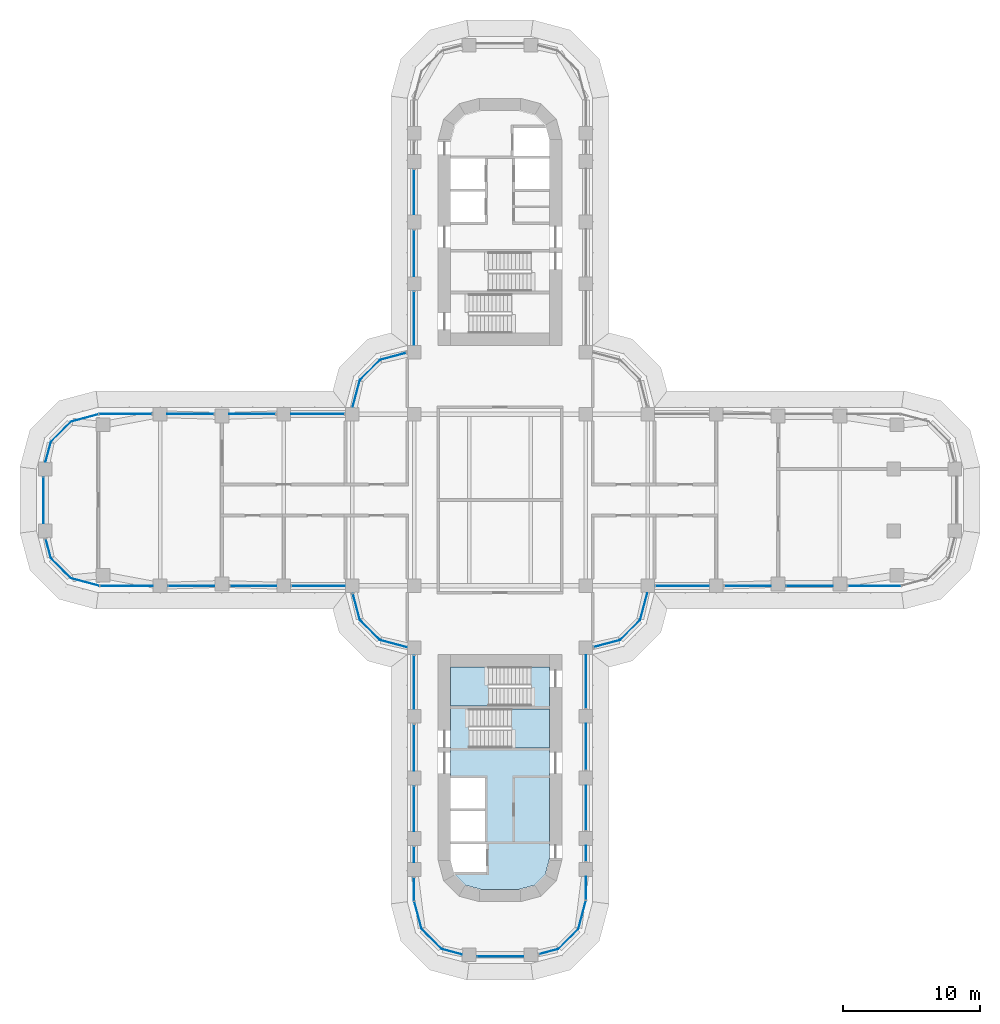
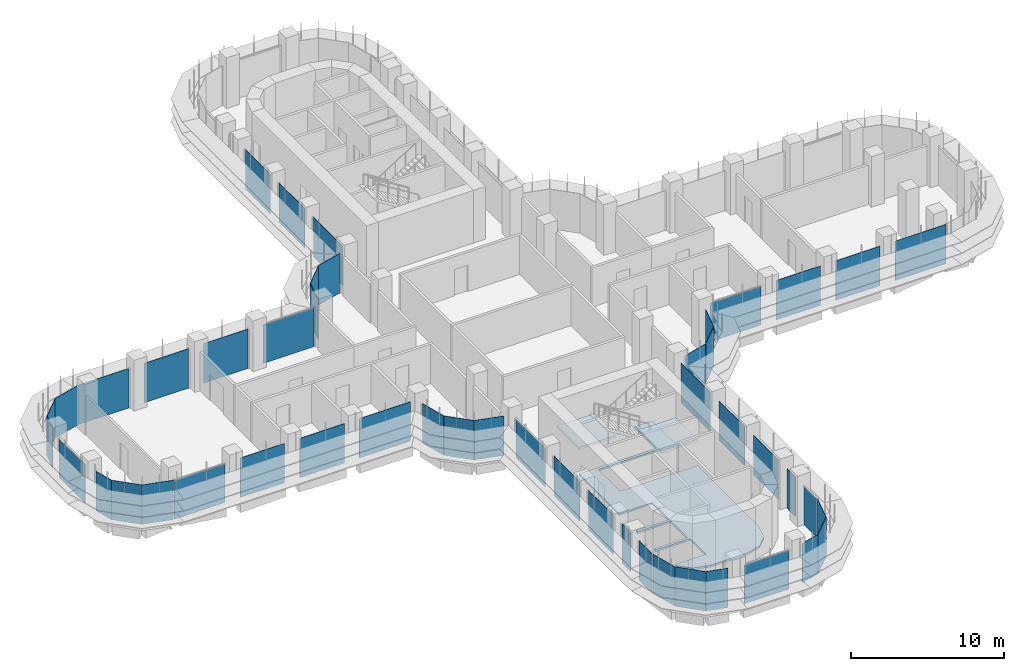
# One storey, part 13 of 23: 48 plates, 3 slabs, 31 elements without a shape of their own.
"""IFC4 building model written with IfcOpenShell, lengths in metres."""

from ifc_helpers import new_model, si_unit, direction, frame, origin, place, context, subcontext, project, spatial, polyline, outline, extrude, source, transform, mapped, material, layer, layer_set, type_object, element, aggregate, save


model = new_model("IFC4")

# Units and contexts
model_context = context("Model", 3, precision=1e-05, world=origin(), true_north=direction((0.0, 1.0)))
body_context = subcontext(model_context, "Body", "Model", "MODEL_VIEW")
ifc_project = project(units=[si_unit("LENGTHUNIT", "METRE"), si_unit("AREAUNIT", "SQUARE_METRE"), si_unit("VOLUMEUNIT", "CUBIC_METRE"), si_unit("PLANEANGLEUNIT", "RADIAN"), si_unit("MASSUNIT", "GRAM", prefix="KILO")], contexts=[model_context])

# Site, building, storey
site_placement = place(None, origin())
site = spatial("IfcSite", under=ifc_project, at=site_placement, CompositionType="ELEMENT")
building_placement = place(site_placement, origin())
building = spatial("IfcBuilding", under=site, at=building_placement, Name="Zarbagh Exchange Tower", CompositionType="ELEMENT")
storey_placement = place(building_placement, frame((0.0, 0.0, 52.199951171875)))
storey = spatial("IfcBuildingStorey", under=building, at=storey_placement, Name="L11", CompositionType="ELEMENT", Elevation=52.199951171875)

# Slab
ifc_material_1 = material(Name="Concrete C40/50", Category="concrete")
ifc_layer_1 = layer(ifc_material_1, 0.14990234375)
ifc_layer_set_1 = layer_set([ifc_layer_1], Name="Core floor slab 150 C40/50")
slab_type_1 = type_object("IfcSlabType", Name="Core floor slab 150 C40/50", PredefinedType="FLOOR", material=ifc_layer_set_1)
slab_1_placement = place(storey_placement, frame((0.0, 0.0, -0.14990234375)))
element("IfcSlab", 1, at=slab_1_placement, inside=storey, type_object=slab_type_1, Name="S17 core S", PredefinedType="FLOOR", context=body_context, shape_type="SweptSolid", body=[
    extrude(outline(polyline([(-2.5341796875, -28.041259765625), (-3.291259765625, -27.2841796875), (-3.340576171875, -27.10009765625), (-1.0, -27.10009765625), (-1.0, -25.050048828125), (-3.60009765625, -25.050048828125), (-3.60009765625, -24.85009765625), (-1.10009765625, -24.85009765625), (-1.10009765625, -22.64990234375), (-3.60009765625, -22.64990234375), (-3.60009765625, -22.449951171875), (-1.10009765625, -22.449951171875), (-1.10009765625, -20.25), (-3.60009765625, -20.25), (-3.60009765625, -15.0), (2.25, -15.0), (2.25, -12.14990234375), (3.60009765625, -12.14990234375), (3.60009765625, -15.199951171875), (-2.25, -15.199951171875), (-2.25, -18.050048828125), (3.60009765625, -18.050048828125), (3.60009765625, -26.131591796875), (3.291259765625, -27.2841796875), (2.5341796875, -28.041259765625), (1.381591796875, -28.35009765625), (-1.381591796875, -28.35009765625), (-2.5341796875, -28.041259765625)])), origin(), (0.0, 0.0, 1.0), 0.14990234375),
])

# Stair, slab
stair_type = type_object("IfcStairType", Name="Exit stair two-flight half-turn", PredefinedType="HALF_TURN_STAIR", material=ifc_material_1)
stair_1_placement = place(storey_placement, origin())
stair_1 = element("IfcStair", 2, at=stair_1_placement, inside=storey, type_object=stair_type, Name="exit stair ST3", PredefinedType="HALF_TURN_STAIR")
ifc_layer_2 = layer(ifc_material_1, 0.199951171875)
ifc_layer_set_2 = layer_set([ifc_layer_2], Name="Stair landing 200 mm")
slab_type_2 = type_object("IfcSlabType", Name="Stair landing 200 mm", PredefinedType="LANDING", material=ifc_layer_set_2)
slab_2_placement = place(storey_placement, frame((0.0, 0.0, 1.900146484375)))
slab_2 = element("IfcSlab", 3, at=slab_2_placement, type_object=slab_type_2, Name="ST3 landing 1", PredefinedType="LANDING", context=body_context, shape_type="SweptSolid", body=[
    extrude(outline(polyline([(0.830078125, -18.050048828125), (3.60009765625, -18.050048828125), (3.60009765625, -15.199951171875), (0.830078125, -15.199951171875), (0.830078125, -18.050048828125)])), origin(), (0.0, 0.0, 1.0), 0.199951171875),
])
aggregate(stair_1, [slab_2])

stair_2_placement = place(storey_placement, origin())
stair_2 = element("IfcStair", 4, at=stair_2_placement, inside=storey, type_object=stair_type, Name="exit stair ST4", PredefinedType="HALF_TURN_STAIR")
slab_3_placement = place(storey_placement, frame((0.0, 0.0, 1.900146484375)))
slab_3 = element("IfcSlab", 5, at=slab_3_placement, type_object=slab_type_2, Name="ST4 landing 1", PredefinedType="LANDING", context=body_context, shape_type="SweptSolid", body=[
    extrude(outline(polyline([(-0.830078125, -12.14990234375), (-3.60009765625, -12.14990234375), (-3.60009765625, -15.0), (-0.830078125, -15.0), (-0.830078125, -12.14990234375)])), origin(), (0.0, 0.0, 1.0), 0.199951171875),
])
aggregate(stair_2, [slab_3])

# Curtain wall, plate
ifc_material_2 = material(Name="Anodised aluminium frame and glazing", Category="aluminium")
curtain_wall_type = type_object("IfcCurtainWallType", Name="CWA Ribbon glazing, lower zones", PredefinedType="NOTDEFINED", material=ifc_material_2)
curtain_wall_1_placement = place(storey_placement, origin())
curtain_wall_1 = element("IfcCurtainWall", 6, at=curtain_wall_1_placement, inside=storey, type_object=curtain_wall_type, Name="CWA01 curtain wall", PredefinedType="NOTDEFINED")
ifc_material_3 = material(Name="Low-e double glazed unit, 6+12+6 mm")
ifc_layer_3 = layer(ifc_material_3, 0.028076171875)
ifc_layer_set_3 = layer_set([ifc_layer_3], Name="PAA Glazing panel, Low-e double glazed unit, 6+12+6 mm")
plate_type = type_object("IfcPlateType", Name="PAA Glazing panel, Low-e double glazed unit, 6+12+6 mm", PredefinedType="CURTAIN_PANEL", material=ifc_layer_set_3)
shared_shape_1 = source(origin(), body_context, "Body", "SweptSolid", [
    extrude(outline(polyline([(0.0, -0.013916015625), (1.4423828125, -0.013916015625), (1.4423828125, 0.013916015625), (0.0, 0.013916015625), (0.0, -0.013916015625)])), origin(), (0.0, 0.0, 1.0), 3.14990234375),
])
placement = place(storey_placement, origin())
plate_1 = element("IfcPlate", 7, at=placement, type_object=plate_type, Name="CWA01 glazing panel 1.1", PredefinedType="CURTAIN_PANEL", context=body_context, shape_type="MappedRepresentation", body=[
    mapped(shared_shape_1, transform((2.847900390625, -33.072021484375, 0.0), x_axis=(0.965924289636, 0.258824779902, 0.0), y_axis=(-0.258824779902, 0.965924289636, 0.0), z_axis=(0.0, 0.0, 1.0))),
])
aggregate(curtain_wall_1, [plate_1])

curtain_wall_2_placement = place(storey_placement, origin())
curtain_wall_2 = element("IfcCurtainWall", 8, at=curtain_wall_2_placement, inside=storey, type_object=curtain_wall_type, Name="CWA37 curtain wall", PredefinedType="NOTDEFINED")
plate_2 = element("IfcPlate", 9, at=placement, type_object=plate_type, Name="CWA37 glazing panel 1.1", PredefinedType="CURTAIN_PANEL", context=body_context, shape_type="MappedRepresentation", body=[
    mapped(shared_shape_1, transform((-33.072021484375, -2.847900390625, 0.0), x_axis=(0.258824779902, -0.965924289636, 0.0), y_axis=(0.965924289636, 0.258824779902, 0.0), z_axis=(0.0, 0.0, 1.0))),
])
aggregate(curtain_wall_2, [plate_2])

curtain_wall_3_placement = place(storey_placement, origin())
curtain_wall_3 = element("IfcCurtainWall", 10, at=curtain_wall_3_placement, inside=storey, type_object=curtain_wall_type, Name="CWA02 curtain wall", PredefinedType="NOTDEFINED")
shared_shape_2 = source(origin(), body_context, "Body", "SweptSolid", [
    extrude(outline(polyline([(0.0, -0.013916015625), (2.061279296875, -0.013916015625), (2.061279296875, 0.013916015625), (0.0, 0.013916015625), (0.0, -0.013916015625)])), origin(), (0.0, 0.0, 1.0), 3.14990234375),
])
plate_3 = element("IfcPlate", 11, at=placement, type_object=plate_type, Name="CWA02 glazing panel 1.1", PredefinedType="CURTAIN_PANEL", context=body_context, shape_type="MappedRepresentation", body=[
    mapped(shared_shape_2, transform((4.2412109375, -32.69873046875, 0.0), x_axis=(0.707106781187, 0.707106781187, 0.0), y_axis=(-0.707106781187, 0.707106781187, 0.0), z_axis=(0.0, 0.0, 1.0))),
])
aggregate(curtain_wall_3, [plate_3])

curtain_wall_4_placement = place(storey_placement, origin())
curtain_wall_4 = element("IfcCurtainWall", 12, at=curtain_wall_4_placement, inside=storey, type_object=curtain_wall_type, Name="CWA06 curtain wall", PredefinedType="NOTDEFINED")
plate_4 = element("IfcPlate", 13, at=placement, type_object=plate_type, Name="CWA06 glazing panel 1.1", PredefinedType="CURTAIN_PANEL", context=body_context, shape_type="MappedRepresentation", body=[
    mapped(shared_shape_2, transform((8.7412109375, -10.19873046875, 0.0), x_axis=(0.707106781187, 0.707106781187, 0.0), y_axis=(-0.707106781187, 0.707106781187, 0.0), z_axis=(0.0, 0.0, 1.0))),
])
aggregate(curtain_wall_4, [plate_4])

curtain_wall_5_placement = place(storey_placement, origin())
curtain_wall_5 = element("IfcCurtainWall", 14, at=curtain_wall_5_placement, inside=storey, type_object=curtain_wall_type, Name="CWA30 curtain wall", PredefinedType="NOTDEFINED")
plate_5 = element("IfcPlate", 15, at=placement, type_object=plate_type, Name="CWA30 glazing panel 1.1", PredefinedType="CURTAIN_PANEL", context=body_context, shape_type="MappedRepresentation", body=[
    mapped(shared_shape_2, transform((-8.7412109375, 10.19873046875, 0.0), x_axis=(-0.707106781187, -0.707106781187, 0.0), y_axis=(0.707106781187, -0.707106781187, 0.0), z_axis=(0.0, 0.0, 1.0))),
])
aggregate(curtain_wall_5, [plate_5])

curtain_wall_6_placement = place(storey_placement, origin())
curtain_wall_6 = element("IfcCurtainWall", 16, at=curtain_wall_6_placement, inside=storey, type_object=curtain_wall_type, Name="CWA34 curtain wall", PredefinedType="NOTDEFINED")
plate_6 = element("IfcPlate", 17, at=placement, type_object=plate_type, Name="CWA34 glazing panel 1.1", PredefinedType="CURTAIN_PANEL", context=body_context, shape_type="MappedRepresentation", body=[
    mapped(shared_shape_2, transform((-31.2412109375, 5.69873046875, 0.0), x_axis=(-0.707106781187, -0.707106781187, 0.0), y_axis=(0.707106781187, -0.707106781187, 0.0), z_axis=(0.0, 0.0, 1.0))),
])
aggregate(curtain_wall_6, [plate_6])

curtain_wall_7_placement = place(storey_placement, origin())
curtain_wall_7 = element("IfcCurtainWall", 18, at=curtain_wall_7_placement, inside=storey, type_object=curtain_wall_type, Name="CWA38 curtain wall", PredefinedType="NOTDEFINED")
plate_7 = element("IfcPlate", 19, at=placement, type_object=plate_type, Name="CWA38 glazing panel 1.1", PredefinedType="CURTAIN_PANEL", context=body_context, shape_type="MappedRepresentation", body=[
    mapped(shared_shape_2, transform((-32.69873046875, -4.2412109375, 0.0), x_axis=(0.707106781187, -0.707106781187, 0.0), y_axis=(0.707106781187, 0.707106781187, 0.0), z_axis=(0.0, 0.0, 1.0))),
])
aggregate(curtain_wall_7, [plate_7])

curtain_wall_8_placement = place(storey_placement, origin())
curtain_wall_8 = element("IfcCurtainWall", 20, at=curtain_wall_8_placement, inside=storey, type_object=curtain_wall_type, Name="CWA42 curtain wall", PredefinedType="NOTDEFINED")
plate_8 = element("IfcPlate", 21, at=placement, type_object=plate_type, Name="CWA42 glazing panel 1.1", PredefinedType="CURTAIN_PANEL", context=body_context, shape_type="MappedRepresentation", body=[
    mapped(shared_shape_2, transform((-10.19873046875, -8.7412109375, 0.0), x_axis=(0.707106781187, -0.707106781187, 0.0), y_axis=(0.707106781187, 0.707106781187, 0.0), z_axis=(0.0, 0.0, 1.0))),
])
aggregate(curtain_wall_8, [plate_8])

curtain_wall_9_placement = place(storey_placement, origin())
curtain_wall_9 = element("IfcCurtainWall", 22, at=curtain_wall_9_placement, inside=storey, type_object=curtain_wall_type, Name="CWA46 curtain wall", PredefinedType="NOTDEFINED")
plate_9 = element("IfcPlate", 23, at=placement, type_object=plate_type, Name="CWA46 glazing panel 1.1", PredefinedType="CURTAIN_PANEL", context=body_context, shape_type="MappedRepresentation", body=[
    mapped(shared_shape_2, transform((-5.69873046875, -31.2412109375, 0.0), x_axis=(0.707106781187, -0.707106781187, 0.0), y_axis=(0.707106781187, 0.707106781187, 0.0), z_axis=(0.0, 0.0, 1.0))),
])
aggregate(curtain_wall_9, [plate_9])

curtain_wall_10_placement = place(storey_placement, origin())
curtain_wall_10 = element("IfcCurtainWall", 24, at=curtain_wall_10_placement, inside=storey, type_object=curtain_wall_type, Name="CWA03 curtain wall", PredefinedType="NOTDEFINED")
shared_shape_3 = source(origin(), body_context, "Body", "SweptSolid", [
    extrude(outline(polyline([(0.0, -0.013916015625), (2.129638671875, -0.013916015625), (2.129638671875, 0.013916015625), (0.0, 0.013916015625), (0.0, -0.013916015625)])), origin(), (0.0, 0.0, 1.0), 3.14990234375),
])
plate_10 = element("IfcPlate", 25, at=placement, type_object=plate_type, Name="CWA03 glazing panel 1.1", PredefinedType="CURTAIN_PANEL", context=body_context, shape_type="MappedRepresentation", body=[
    mapped(shared_shape_3, transform((5.69873046875, -31.2412109375, 0.0), x_axis=(0.258824779902, 0.965924289636, 0.0), y_axis=(-0.965924289636, 0.258824779902, 0.0), z_axis=(0.0, 0.0, 1.0))),
])
aggregate(curtain_wall_10, [plate_10])

curtain_wall_11_placement = place(storey_placement, origin())
curtain_wall_11 = element("IfcCurtainWall", 26, at=curtain_wall_11_placement, inside=storey, type_object=curtain_wall_type, Name="CWA39 curtain wall", PredefinedType="NOTDEFINED")
plate_11 = element("IfcPlate", 27, at=placement, type_object=plate_type, Name="CWA39 glazing panel 1.1", PredefinedType="CURTAIN_PANEL", context=body_context, shape_type="MappedRepresentation", body=[
    mapped(shared_shape_3, transform((-31.2412109375, -5.69873046875, 0.0), x_axis=(0.965924289636, -0.258824779902, 0.0), y_axis=(0.258824779902, 0.965924289636, 0.0), z_axis=(0.0, 0.0, 1.0))),
])
aggregate(curtain_wall_11, [plate_11])

# Curtain wall, plates
curtain_wall_12_placement = place(storey_placement, origin())
curtain_wall_12 = element("IfcCurtainWall", 28, at=curtain_wall_12_placement, inside=storey, type_object=curtain_wall_type, Name="CWA04 curtain wall", PredefinedType="NOTDEFINED")
shared_shape_4 = source(origin(), body_context, "Body", "SweptSolid", [
    extrude(outline(polyline([(0.0, -0.013916015625), (1.68408203125, -0.013916015625), (1.68408203125, 0.013916015625), (0.0, 0.013916015625), (0.0, -0.013916015625)])), origin(), (0.0, 0.0, 1.0), 3.090087890625),
])
plate_12 = element("IfcPlate", 29, at=placement, type_object=plate_type, Name="CWA04 glazing panel 1.1", PredefinedType="CURTAIN_PANEL", context=body_context, shape_type="MappedRepresentation", body=[
    mapped(shared_shape_4, transform((6.25, -29.124267578125, 0.0), x_axis=(0.0, 1.0, 0.0), y_axis=(-1.0, 0.0, 0.0), z_axis=(0.0, 0.0, 1.0))),
])
shared_shape_5 = source(origin(), body_context, "Body", "SweptSolid", [
    extrude(outline(polyline([(0.0, -0.013916015625), (1.110107421875, -0.013916015625), (1.110107421875, 0.013916015625), (0.0, 0.013916015625), (0.0, -0.013916015625)])), origin(), (0.0, 0.0, 1.0), 3.14990234375),
])
plate_13 = element("IfcPlate", 30, at=placement, type_object=plate_type, Name="CWA04 glazing panel 2.1", PredefinedType="CURTAIN_PANEL", context=body_context, shape_type="MappedRepresentation", body=[
    mapped(shared_shape_5, transform((6.25, -26.300048828125, 0.0), x_axis=(0.0, 1.0, 0.0), y_axis=(-1.0, 0.0, 0.0), z_axis=(0.0, 0.0, 1.0))),
])

# Curtain wall, plate
curtain_wall_13_placement = place(storey_placement, origin())
curtain_wall_13 = element("IfcCurtainWall", 31, at=curtain_wall_13_placement, inside=storey, type_object=curtain_wall_type, Name="CWA44 curtain wall", PredefinedType="NOTDEFINED")
plate_14 = element("IfcPlate", 32, at=placement, type_object=plate_type, Name="CWA44 glazing panel 4.1", PredefinedType="CURTAIN_PANEL", context=body_context, shape_type="MappedRepresentation", body=[
    mapped(shared_shape_5, transform((-6.25, -25.25, 0.0), x_axis=(0.0, -1.0, 0.0), y_axis=(1.0, 0.0, 0.0), z_axis=(0.0, 0.0, 1.0))),
])

# Plate
shared_shape_6 = source(origin(), body_context, "Body", "SweptSolid", [
    extrude(outline(polyline([(0.0, -0.013916015625), (3.260009765625, -0.013916015625), (3.260009765625, 0.013916015625), (0.0, 0.013916015625), (0.0, -0.013916015625)])), origin(), (0.0, 0.0, 1.0), 3.14990234375),
])
plate_15 = element("IfcPlate", 33, at=placement, type_object=plate_type, Name="CWA04 glazing panel 3.1", PredefinedType="CURTAIN_PANEL", context=body_context, shape_type="MappedRepresentation", body=[
    mapped(shared_shape_6, transform((6.25, -24.050048828125, 0.0), x_axis=(0.0, 1.0, 0.0), y_axis=(-1.0, 0.0, 0.0), z_axis=(0.0, 0.0, 1.0))),
])

# Curtain wall, plate
curtain_wall_14_placement = place(storey_placement, origin())
curtain_wall_14 = element("IfcCurtainWall", 34, at=curtain_wall_14_placement, inside=storey, type_object=curtain_wall_type, Name="CWA28 curtain wall", PredefinedType="NOTDEFINED")
plate_16 = element("IfcPlate", 35, at=placement, type_object=plate_type, Name="CWA28 glazing panel 3.1", PredefinedType="CURTAIN_PANEL", context=body_context, shape_type="MappedRepresentation", body=[
    mapped(shared_shape_6, transform((-6.25, 24.050048828125, 0.0), x_axis=(0.0, -1.0, 0.0), y_axis=(1.0, 0.0, 0.0), z_axis=(0.0, 0.0, 1.0))),
])

# Plate
plate_17 = element("IfcPlate", 36, at=placement, type_object=plate_type, Name="CWA44 glazing panel 3.1", PredefinedType="CURTAIN_PANEL", context=body_context, shape_type="MappedRepresentation", body=[
    mapped(shared_shape_6, transform((-6.25, -20.85009765625, 0.0), x_axis=(0.0, -1.0, 0.0), y_axis=(1.0, 0.0, 0.0), z_axis=(0.0, 0.0, 1.0))),
])

shared_shape_7 = source(origin(), body_context, "Body", "SweptSolid", [
    extrude(outline(polyline([(0.0, -0.013916015625), (3.360107421875, -0.013916015625), (3.360107421875, 0.013916015625), (0.0, 0.013916015625), (0.0, -0.013916015625)])), origin(), (0.0, 0.0, 1.0), 3.14990234375),
])
plate_18 = element("IfcPlate", 37, at=placement, type_object=plate_type, Name="CWA04 glazing panel 4.1", PredefinedType="CURTAIN_PANEL", context=body_context, shape_type="MappedRepresentation", body=[
    mapped(shared_shape_7, transform((6.25, -19.64990234375, 0.0), x_axis=(0.0, 1.0, 0.0), y_axis=(-1.0, 0.0, 0.0), z_axis=(0.0, 0.0, 1.0))),
])

# Curtain wall, plates
curtain_wall_15_placement = place(storey_placement, origin())
curtain_wall_15 = element("IfcCurtainWall", 38, at=curtain_wall_15_placement, inside=storey, type_object=curtain_wall_type, Name="CWA08 curtain wall", PredefinedType="NOTDEFINED")
plate_19 = element("IfcPlate", 39, at=placement, type_object=plate_type, Name="CWA08 glazing panel 2.1", PredefinedType="CURTAIN_PANEL", context=body_context, shape_type="MappedRepresentation", body=[
    mapped(shared_shape_7, transform((16.35009765625, -6.25, 0.0), x_axis=(1.0, 0.0, 0.0), y_axis=(0.0, 1.0, 0.0), z_axis=(0.0, 0.0, 1.0))),
])
plate_20 = element("IfcPlate", 40, at=placement, type_object=plate_type, Name="CWA08 glazing panel 3.1", PredefinedType="CURTAIN_PANEL", context=body_context, shape_type="MappedRepresentation", body=[
    mapped(shared_shape_7, transform((20.85009765625, -6.25, 0.0), x_axis=(1.0, 0.0, 0.0), y_axis=(0.0, 1.0, 0.0), z_axis=(0.0, 0.0, 1.0))),
])

# Plate
plate_21 = element("IfcPlate", 41, at=placement, type_object=plate_type, Name="CWA28 glazing panel 4.1", PredefinedType="CURTAIN_PANEL", context=body_context, shape_type="MappedRepresentation", body=[
    mapped(shared_shape_7, transform((-6.25, 19.64990234375, 0.0), x_axis=(0.0, -1.0, 0.0), y_axis=(1.0, 0.0, 0.0), z_axis=(0.0, 0.0, 1.0))),
])

# Curtain wall, plates
curtain_wall_16_placement = place(storey_placement, origin())
curtain_wall_16 = element("IfcCurtainWall", 42, at=curtain_wall_16_placement, inside=storey, type_object=curtain_wall_type, Name="CWA32 curtain wall", PredefinedType="NOTDEFINED")
plate_22 = element("IfcPlate", 43, at=placement, type_object=plate_type, Name="CWA32 glazing panel 2.1", PredefinedType="CURTAIN_PANEL", context=body_context, shape_type="MappedRepresentation", body=[
    mapped(shared_shape_7, transform((-16.35009765625, 6.25, 0.0), x_axis=(-1.0, 0.0, 0.0), y_axis=(0.0, -1.0, 0.0), z_axis=(0.0, 0.0, 1.0))),
])
plate_23 = element("IfcPlate", 44, at=placement, type_object=plate_type, Name="CWA32 glazing panel 3.1", PredefinedType="CURTAIN_PANEL", context=body_context, shape_type="MappedRepresentation", body=[
    mapped(shared_shape_7, transform((-20.85009765625, 6.25, 0.0), x_axis=(-1.0, 0.0, 0.0), y_axis=(0.0, -1.0, 0.0), z_axis=(0.0, 0.0, 1.0))),
])

curtain_wall_17_placement = place(storey_placement, origin())
curtain_wall_17 = element("IfcCurtainWall", 45, at=curtain_wall_17_placement, inside=storey, type_object=curtain_wall_type, Name="CWA40 curtain wall", PredefinedType="NOTDEFINED")
plate_24 = element("IfcPlate", 46, at=placement, type_object=plate_type, Name="CWA40 glazing panel 2.1", PredefinedType="CURTAIN_PANEL", context=body_context, shape_type="MappedRepresentation", body=[
    mapped(shared_shape_7, transform((-24.14990234375, -6.25, 0.0), x_axis=(1.0, 0.0, 0.0), y_axis=(0.0, 1.0, 0.0), z_axis=(0.0, 0.0, 1.0))),
])
plate_25 = element("IfcPlate", 47, at=placement, type_object=plate_type, Name="CWA40 glazing panel 3.1", PredefinedType="CURTAIN_PANEL", context=body_context, shape_type="MappedRepresentation", body=[
    mapped(shared_shape_7, transform((-19.64990234375, -6.25, 0.0), x_axis=(1.0, 0.0, 0.0), y_axis=(0.0, 1.0, 0.0), z_axis=(0.0, 0.0, 1.0))),
])

# Plate
plate_26 = element("IfcPlate", 48, at=placement, type_object=plate_type, Name="CWA44 glazing panel 2.1", PredefinedType="CURTAIN_PANEL", context=body_context, shape_type="MappedRepresentation", body=[
    mapped(shared_shape_7, transform((-6.25, -16.35009765625, 0.0), x_axis=(0.0, -1.0, 0.0), y_axis=(1.0, 0.0, 0.0), z_axis=(0.0, 0.0, 1.0))),
])

# Curtain wall, plate
curtain_wall_18_placement = place(storey_placement, origin())
curtain_wall_18 = element("IfcCurtainWall", 49, at=curtain_wall_18_placement, inside=storey, type_object=curtain_wall_type, Name="CWA05 curtain wall", PredefinedType="NOTDEFINED")
shared_shape_8 = source(origin(), body_context, "Body", "SweptSolid", [
    extrude(outline(polyline([(0.0, -0.013916015625), (1.9599609375, -0.013916015625), (1.9599609375, 0.013916015625), (0.0, 0.013916015625), (0.0, -0.013916015625)])), origin(), (0.0, 0.0, 1.0), 3.14990234375),
])
plate_27 = element("IfcPlate", 50, at=placement, type_object=plate_type, Name="CWA05 glazing panel 1.1", PredefinedType="CURTAIN_PANEL", context=body_context, shape_type="MappedRepresentation", body=[
    mapped(shared_shape_8, transform((6.847900390625, -10.7060546875, 0.0), x_axis=(0.965924289636, 0.258824779902, 0.0), y_axis=(-0.258824779902, 0.965924289636, 0.0), z_axis=(0.0, 0.0, 1.0))),
])
aggregate(curtain_wall_18, [plate_27])

curtain_wall_19_placement = place(storey_placement, origin())
curtain_wall_19 = element("IfcCurtainWall", 51, at=curtain_wall_19_placement, inside=storey, type_object=curtain_wall_type, Name="CWA29 curtain wall", PredefinedType="NOTDEFINED")
plate_28 = element("IfcPlate", 52, at=placement, type_object=plate_type, Name="CWA29 glazing panel 1.1", PredefinedType="CURTAIN_PANEL", context=body_context, shape_type="MappedRepresentation", body=[
    mapped(shared_shape_8, transform((-6.847900390625, 10.7060546875, 0.0), x_axis=(-0.965924289636, -0.258824779902, 0.0), y_axis=(0.258824779902, -0.965924289636, 0.0), z_axis=(0.0, 0.0, 1.0))),
])
aggregate(curtain_wall_19, [plate_28])

curtain_wall_20_placement = place(storey_placement, origin())
curtain_wall_20 = element("IfcCurtainWall", 53, at=curtain_wall_20_placement, inside=storey, type_object=curtain_wall_type, Name="CWA41 curtain wall", PredefinedType="NOTDEFINED")
plate_29 = element("IfcPlate", 54, at=placement, type_object=plate_type, Name="CWA41 glazing panel 1.1", PredefinedType="CURTAIN_PANEL", context=body_context, shape_type="MappedRepresentation", body=[
    mapped(shared_shape_8, transform((-10.7060546875, -6.847900390625, 0.0), x_axis=(0.258824779902, -0.965924289636, 0.0), y_axis=(0.965924289636, 0.258824779902, 0.0), z_axis=(0.0, 0.0, 1.0))),
])
aggregate(curtain_wall_20, [plate_29])

curtain_wall_21_placement = place(storey_placement, origin())
curtain_wall_21 = element("IfcCurtainWall", 55, at=curtain_wall_21_placement, inside=storey, type_object=curtain_wall_type, Name="CWA07 curtain wall", PredefinedType="NOTDEFINED")
shared_shape_9 = source(origin(), body_context, "Body", "SweptSolid", [
    extrude(outline(polyline([(0.0, -0.013916015625), (2.02001953125, -0.013916015625), (2.02001953125, 0.013916015625), (0.0, 0.013916015625), (0.0, -0.013916015625)])), origin(), (0.0, 0.0, 1.0), 3.14990234375),
])
plate_30 = element("IfcPlate", 56, at=placement, type_object=plate_type, Name="CWA07 glazing panel 1.1", PredefinedType="CURTAIN_PANEL", context=body_context, shape_type="MappedRepresentation", body=[
    mapped(shared_shape_9, transform((10.19873046875, -8.7412109375, 0.0), x_axis=(0.258824779902, 0.965924289636, 0.0), y_axis=(-0.965924289636, 0.258824779902, 0.0), z_axis=(0.0, 0.0, 1.0))),
])
aggregate(curtain_wall_21, [plate_30])

curtain_wall_22_placement = place(storey_placement, origin())
curtain_wall_22 = element("IfcCurtainWall", 57, at=curtain_wall_22_placement, inside=storey, type_object=curtain_wall_type, Name="CWA31 curtain wall", PredefinedType="NOTDEFINED")
plate_31 = element("IfcPlate", 58, at=placement, type_object=plate_type, Name="CWA31 glazing panel 1.1", PredefinedType="CURTAIN_PANEL", context=body_context, shape_type="MappedRepresentation", body=[
    mapped(shared_shape_9, transform((-10.19873046875, 8.7412109375, 0.0), x_axis=(-0.258824779902, -0.965924289636, 0.0), y_axis=(0.965924289636, -0.258824779902, 0.0), z_axis=(0.0, 0.0, 1.0))),
])
aggregate(curtain_wall_22, [plate_31])

curtain_wall_23_placement = place(storey_placement, origin())
curtain_wall_23 = element("IfcCurtainWall", 59, at=curtain_wall_23_placement, inside=storey, type_object=curtain_wall_type, Name="CWA43 curtain wall", PredefinedType="NOTDEFINED")
plate_32 = element("IfcPlate", 60, at=placement, type_object=plate_type, Name="CWA43 glazing panel 1.1", PredefinedType="CURTAIN_PANEL", context=body_context, shape_type="MappedRepresentation", body=[
    mapped(shared_shape_9, transform((-8.7412109375, -10.19873046875, 0.0), x_axis=(0.965924289636, -0.258824779902, 0.0), y_axis=(0.258824779902, 0.965924289636, 0.0), z_axis=(0.0, 0.0, 1.0))),
])
aggregate(curtain_wall_23, [plate_32])

# Plate
shared_shape_10 = source(origin(), body_context, "Body", "SweptSolid", [
    extrude(outline(polyline([(0.0, -0.013916015625), (3.860107421875, -0.013916015625), (3.860107421875, 0.013916015625), (0.0, 0.013916015625), (0.0, -0.013916015625)])), origin(), (0.0, 0.0, 1.0), 3.090087890625),
])
plate_33 = element("IfcPlate", 61, at=placement, type_object=plate_type, Name="CWA08 glazing panel 1.1", PredefinedType="CURTAIN_PANEL", context=body_context, shape_type="MappedRepresentation", body=[
    mapped(shared_shape_10, transform((11.35009765625, -6.25, 0.0), x_axis=(1.0, 0.0, 0.0), y_axis=(0.0, 1.0, 0.0), z_axis=(0.0, 0.0, 1.0))),
])

plate_34 = element("IfcPlate", 62, at=placement, type_object=plate_type, Name="CWA32 glazing panel 1.1", PredefinedType="CURTAIN_PANEL", context=body_context, shape_type="MappedRepresentation", body=[
    mapped(shared_shape_10, transform((-11.35009765625, 6.25, 0.0), x_axis=(-1.0, 0.0, 0.0), y_axis=(0.0, -1.0, 0.0), z_axis=(0.0, 0.0, 1.0))),
])

plate_35 = element("IfcPlate", 63, at=placement, type_object=plate_type, Name="CWA44 glazing panel 1.1", PredefinedType="CURTAIN_PANEL", context=body_context, shape_type="MappedRepresentation", body=[
    mapped(shared_shape_10, transform((-6.25, -11.35009765625, 0.0), x_axis=(0.0, -1.0, 0.0), y_axis=(1.0, 0.0, 0.0), z_axis=(0.0, 0.0, 1.0))),
])

shared_shape_11 = source(origin(), body_context, "Body", "SweptSolid", [
    extrude(outline(polyline([(0.0, -0.013916015625), (3.833984375, -0.013916015625), (3.833984375, 0.013916015625), (0.0, 0.013916015625), (0.0, -0.013916015625)])), origin(), (0.0, 0.0, 1.0), 3.14990234375),
])
plate_36 = element("IfcPlate", 64, at=placement, type_object=plate_type, Name="CWA08 glazing panel 4.1", PredefinedType="CURTAIN_PANEL", context=body_context, shape_type="MappedRepresentation", body=[
    mapped(shared_shape_11, transform((25.35009765625, -6.25, 0.0), x_axis=(1.0, 0.0, 0.0), y_axis=(0.0, 1.0, 0.0), z_axis=(0.0, 0.0, 1.0))),
])

aggregate(curtain_wall_15, [plate_33, plate_19, plate_20, plate_36])

plate_37 = element("IfcPlate", 65, at=placement, type_object=plate_type, Name="CWA32 glazing panel 4.1", PredefinedType="CURTAIN_PANEL", context=body_context, shape_type="MappedRepresentation", body=[
    mapped(shared_shape_11, transform((-25.35009765625, 6.25, 0.0), x_axis=(-1.0, 0.0, 0.0), y_axis=(0.0, -1.0, 0.0), z_axis=(0.0, 0.0, 1.0))),
])

aggregate(curtain_wall_16, [plate_34, plate_22, plate_23, plate_37])

# Curtain wall, plate
curtain_wall_24_placement = place(storey_placement, origin())
curtain_wall_24 = element("IfcCurtainWall", 66, at=curtain_wall_24_placement, inside=storey, type_object=curtain_wall_type, Name="CWA33 curtain wall", PredefinedType="NOTDEFINED")
shared_shape_12 = source(origin(), body_context, "Body", "SweptSolid", [
    extrude(outline(polyline([(0.0, -0.013916015625), (2.069580078125, -0.013916015625), (2.069580078125, 0.013916015625), (0.0, 0.013916015625), (0.0, -0.013916015625)])), origin(), (0.0, 0.0, 1.0), 3.14990234375),
])
plate_38 = element("IfcPlate", 67, at=placement, type_object=plate_type, Name="CWA33 glazing panel 1.1", PredefinedType="CURTAIN_PANEL", context=body_context, shape_type="MappedRepresentation", body=[
    mapped(shared_shape_12, transform((-29.2421875, 6.234375, 0.0), x_axis=(-0.965924289636, -0.258824779902, 0.0), y_axis=(0.258824779902, -0.965924289636, 0.0), z_axis=(0.0, 0.0, 1.0))),
])
aggregate(curtain_wall_24, [plate_38])

curtain_wall_25_placement = place(storey_placement, origin())
curtain_wall_25 = element("IfcCurtainWall", 68, at=curtain_wall_25_placement, inside=storey, type_object=curtain_wall_type, Name="CWA45 curtain wall", PredefinedType="NOTDEFINED")
plate_39 = element("IfcPlate", 69, at=placement, type_object=plate_type, Name="CWA45 glazing panel 1.1", PredefinedType="CURTAIN_PANEL", context=body_context, shape_type="MappedRepresentation", body=[
    mapped(shared_shape_12, transform((-6.234375, -29.2421875, 0.0), x_axis=(0.258824779902, -0.965924289636, 0.0), y_axis=(0.965924289636, 0.258824779902, 0.0), z_axis=(0.0, 0.0, 1.0))),
])
aggregate(curtain_wall_25, [plate_39])

curtain_wall_26_placement = place(storey_placement, origin())
curtain_wall_26 = element("IfcCurtainWall", 70, at=curtain_wall_26_placement, inside=storey, type_object=curtain_wall_type, Name="CWA35 curtain wall", PredefinedType="NOTDEFINED")
shared_shape_13 = source(origin(), body_context, "Body", "SweptSolid", [
    extrude(outline(polyline([(0.0, -0.013916015625), (1.50244140625, -0.013916015625), (1.50244140625, 0.013916015625), (0.0, 0.013916015625), (0.0, -0.013916015625)])), origin(), (0.0, 0.0, 1.0), 3.14990234375),
])
plate_40 = element("IfcPlate", 71, at=placement, type_object=plate_type, Name="CWA35 glazing panel 1.1", PredefinedType="CURTAIN_PANEL", context=body_context, shape_type="MappedRepresentation", body=[
    mapped(shared_shape_13, transform((-32.69873046875, 4.2412109375, 0.0), x_axis=(-0.258824779902, -0.965924289636, 0.0), y_axis=(0.965924289636, -0.258824779902, 0.0), z_axis=(0.0, 0.0, 1.0))),
])
aggregate(curtain_wall_26, [plate_40])

curtain_wall_27_placement = place(storey_placement, origin())
curtain_wall_27 = element("IfcCurtainWall", 72, at=curtain_wall_27_placement, inside=storey, type_object=curtain_wall_type, Name="CWA47 curtain wall", PredefinedType="NOTDEFINED")
plate_41 = element("IfcPlate", 73, at=placement, type_object=plate_type, Name="CWA47 glazing panel 1.1", PredefinedType="CURTAIN_PANEL", context=body_context, shape_type="MappedRepresentation", body=[
    mapped(shared_shape_13, transform((-4.2412109375, -32.69873046875, 0.0), x_axis=(0.965924289636, -0.258824779902, 0.0), y_axis=(0.258824779902, 0.965924289636, 0.0), z_axis=(0.0, 0.0, 1.0))),
])
aggregate(curtain_wall_27, [plate_41])

curtain_wall_28_placement = place(storey_placement, origin())
curtain_wall_28 = element("IfcCurtainWall", 74, at=curtain_wall_28_placement, inside=storey, type_object=curtain_wall_type, Name="CWA36 curtain wall", PredefinedType="NOTDEFINED")
shared_shape_14 = source(origin(), body_context, "Body", "SweptSolid", [
    extrude(outline(polyline([(0.0, -0.013916015625), (3.360107421875, -0.013916015625), (3.360107421875, 0.013916015625), (0.0, 0.013916015625), (0.0, -0.013916015625)])), origin(), (0.0, 0.0, 1.0), 3.090087890625),
])
plate_42 = element("IfcPlate", 75, at=placement, type_object=plate_type, Name="CWA36 glazing panel 1.1", PredefinedType="CURTAIN_PANEL", context=body_context, shape_type="MappedRepresentation", body=[
    mapped(shared_shape_14, transform((-33.25, 1.64990234375, 0.0), x_axis=(0.0, -1.0, 0.0), y_axis=(1.0, 0.0, 0.0), z_axis=(0.0, 0.0, 1.0))),
])
aggregate(curtain_wall_28, [plate_42])

curtain_wall_29_placement = place(storey_placement, origin())
curtain_wall_29 = element("IfcCurtainWall", 76, at=curtain_wall_29_placement, inside=storey, type_object=curtain_wall_type, Name="CWA48 curtain wall", PredefinedType="NOTDEFINED")
plate_43 = element("IfcPlate", 77, at=placement, type_object=plate_type, Name="CWA48 glazing panel 1.1", PredefinedType="CURTAIN_PANEL", context=body_context, shape_type="MappedRepresentation", body=[
    mapped(shared_shape_14, transform((-1.64990234375, -33.25, 0.0), x_axis=(1.0, 0.0, 0.0), y_axis=(0.0, 1.0, 0.0), z_axis=(0.0, 0.0, 1.0))),
])
aggregate(curtain_wall_29, [plate_43])

# Plate
shared_shape_15 = source(origin(), body_context, "Body", "SweptSolid", [
    extrude(outline(polyline([(0.0, -0.013916015625), (3.834228515625, -0.013916015625), (3.834228515625, 0.013916015625), (0.0, 0.013916015625), (0.0, -0.013916015625)])), origin(), (0.0, 0.0, 1.0), 3.090087890625),
])
plate_44 = element("IfcPlate", 78, at=placement, type_object=plate_type, Name="CWA40 glazing panel 1.1", PredefinedType="CURTAIN_PANEL", context=body_context, shape_type="MappedRepresentation", body=[
    mapped(shared_shape_15, transform((-29.124267578125, -6.25, 0.0), x_axis=(1.0, 0.0, 0.0), y_axis=(0.0, 1.0, 0.0), z_axis=(0.0, 0.0, 1.0))),
])

shared_shape_16 = source(origin(), body_context, "Body", "SweptSolid", [
    extrude(outline(polyline([(0.0, -0.013916015625), (3.860107421875, -0.013916015625), (3.860107421875, 0.013916015625), (0.0, 0.013916015625), (0.0, -0.013916015625)])), origin(), (0.0, 0.0, 1.0), 3.14990234375),
])
plate_45 = element("IfcPlate", 79, at=placement, type_object=plate_type, Name="CWA04 glazing panel 5.1", PredefinedType="CURTAIN_PANEL", context=body_context, shape_type="MappedRepresentation", body=[
    mapped(shared_shape_16, transform((6.25, -15.14990234375, 0.0), x_axis=(0.0, 1.0, 0.0), y_axis=(-1.0, 0.0, 0.0), z_axis=(0.0, 0.0, 1.0))),
])

aggregate(curtain_wall_12, [plate_12, plate_13, plate_15, plate_18, plate_45])

plate_46 = element("IfcPlate", 80, at=placement, type_object=plate_type, Name="CWA28 glazing panel 5.1", PredefinedType="CURTAIN_PANEL", context=body_context, shape_type="MappedRepresentation", body=[
    mapped(shared_shape_16, transform((-6.25, 15.14990234375, 0.0), x_axis=(0.0, -1.0, 0.0), y_axis=(1.0, 0.0, 0.0), z_axis=(0.0, 0.0, 1.0))),
])

aggregate(curtain_wall_14, [plate_16, plate_21, plate_46])

plate_47 = element("IfcPlate", 81, at=placement, type_object=plate_type, Name="CWA40 glazing panel 4.1", PredefinedType="CURTAIN_PANEL", context=body_context, shape_type="MappedRepresentation", body=[
    mapped(shared_shape_16, transform((-15.14990234375, -6.25, 0.0), x_axis=(1.0, 0.0, 0.0), y_axis=(0.0, 1.0, 0.0), z_axis=(0.0, 0.0, 1.0))),
])

aggregate(curtain_wall_17, [plate_44, plate_24, plate_25, plate_47])

shared_shape_17 = source(origin(), body_context, "Body", "SweptSolid", [
    extrude(outline(polyline([(0.0, -0.013916015625), (1.68408203125, -0.013916015625), (1.68408203125, 0.013916015625), (0.0, 0.013916015625), (0.0, -0.013916015625)])), origin(), (0.0, 0.0, 1.0), 3.14990234375),
])
plate_48 = element("IfcPlate", 82, at=placement, type_object=plate_type, Name="CWA44 glazing panel 5.1", PredefinedType="CURTAIN_PANEL", context=body_context, shape_type="MappedRepresentation", body=[
    mapped(shared_shape_17, transform((-6.25, -27.5, 0.0), x_axis=(0.0, -1.0, 0.0), y_axis=(1.0, 0.0, 0.0), z_axis=(0.0, 0.0, 1.0))),
])

aggregate(curtain_wall_13, [plate_35, plate_26, plate_17, plate_14, plate_48])

save(model, "model.ifc")
